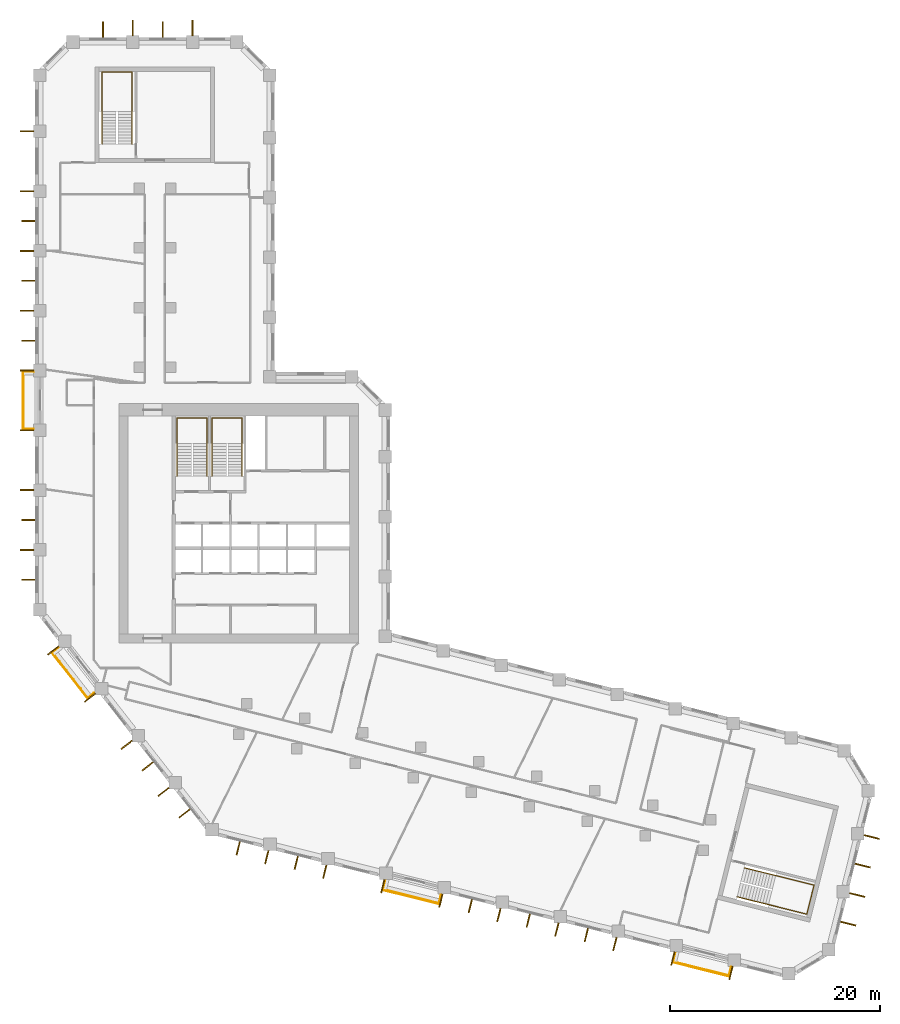
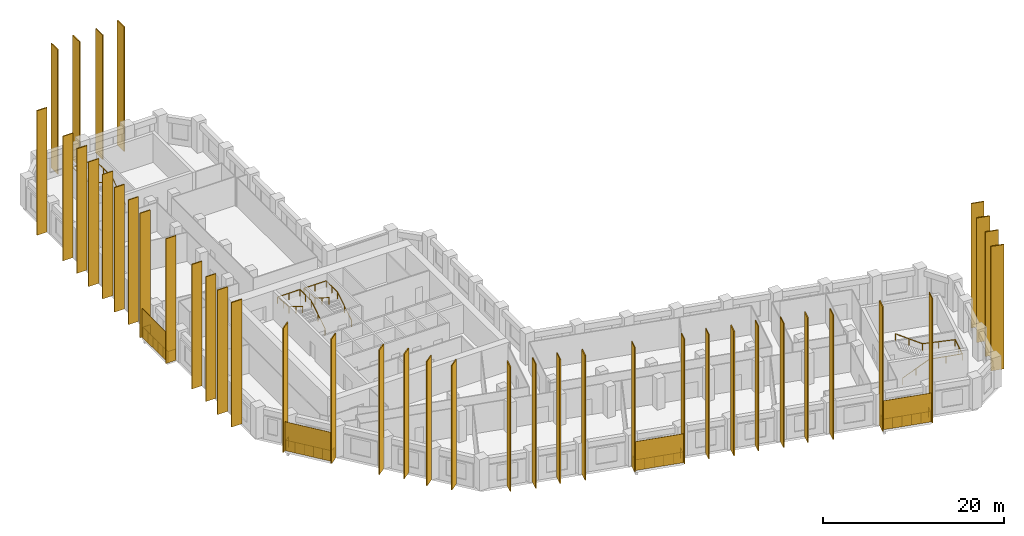
# One storey, part 10 of 10: 45 shading devices, 8 railings.
"""IFC4 building model written with IfcOpenShell, lengths in metres."""

from ifc_helpers import new_model, si_unit, direction, frame, origin, origin_2d, place, context, subcontext, project, spatial, rectangle, circle, extrude, material, layer, layer_set, type_object, element, save


model = new_model("IFC4")

# Units and contexts
model_context = context("Model", 3, precision=1e-05, world=origin(), true_north=direction((0.0, 1.0)))
body_context = subcontext(model_context, "Body", "Model", "MODEL_VIEW")
ifc_project = project(units=[si_unit("LENGTHUNIT", "METRE"), si_unit("AREAUNIT", "SQUARE_METRE"), si_unit("VOLUMEUNIT", "CUBIC_METRE"), si_unit("PLANEANGLEUNIT", "RADIAN"), si_unit("MASSUNIT", "GRAM", prefix="KILO")], contexts=[model_context])

# Site, building, storey
site_placement = place(None, origin())
site = spatial("IfcSite", under=ifc_project, at=site_placement, CompositionType="ELEMENT")
building_placement = place(site_placement, origin())
building = spatial("IfcBuilding", under=site, at=building_placement, Name="Meshkara Civic Tower", CompositionType="ELEMENT")
storey_placement = place(building_placement, frame((0.0, 0.0, 195.0)))
storey = spatial("IfcBuildingStorey", under=building, at=storey_placement, Name="L44", CompositionType="ELEMENT", Elevation=195.0)

# Railings
ifc_material_1 = material(Name="Steel S355", Category="steel")
railing_type_1 = type_object("IfcRailingType", Name="BALUSTRADE GUARD 1400", PredefinedType="BALUSTRADE", material=ifc_material_1)
railing_1_placement = place(storey_placement, frame((-0.14990234375, 39.93505859375, 0.0)))
element("IfcRailing", 1, at=railing_1_placement, inside=storey, type_object=railing_type_1, Name="Balcony guard", PredefinedType="BALUSTRADE", context=body_context, shape_type="SweptSolid", body=[
    extrude(circle(Radius=0.02392578125, at=origin_2d()), frame((0.0, 0.0, 1.3759765625), z_axis=(-1.0, 0.0, 0.0), x_axis=(0.0, -1.0, 0.0)), (0.0, 0.0, 1.0), 0.960205078125),
    extrude(circle(Radius=0.02392578125, at=origin_2d()), frame((-0.960205078125, 0.0, 1.3759765625), z_axis=(0.0, -1.0, 0.0), x_axis=(1.0, 0.0, 0.0)), (0.0, 0.0, 1.0), 5.4599609375),
    extrude(circle(Radius=0.02392578125, at=origin_2d()), frame((-0.960205078125, -5.4599609375, 1.3759765625), z_axis=(1.0, 0.0, 0.0), x_axis=(0.0, 1.0, 0.0)), (0.0, 0.0, 1.0), 0.960205078125),
    extrude(circle(Radius=0.02099609375, at=origin_2d()), origin(), (0.0, 0.0, 1.0), 1.351806640625),
    extrude(circle(Radius=0.02099609375, at=origin_2d()), frame((-0.960205078125, 0.0, 0.0)), (0.0, 0.0, 1.0), 1.351806640625),
    extrude(circle(Radius=0.02099609375, at=origin_2d()), frame((-0.960205078125, -1.092041015625, 0.0)), (0.0, 0.0, 1.0), 1.351806640625),
    extrude(circle(Radius=0.02099609375, at=origin_2d()), frame((-0.960205078125, -2.18408203125, 0.0)), (0.0, 0.0, 1.0), 1.351806640625),
    extrude(circle(Radius=0.02099609375, at=origin_2d()), frame((-0.960205078125, -3.27587890625, 0.0)), (0.0, 0.0, 1.0), 1.351806640625),
    extrude(circle(Radius=0.02099609375, at=origin_2d()), frame((-0.960205078125, -4.367919921875, 0.0)), (0.0, 0.0, 1.0), 1.351806640625),
    extrude(circle(Radius=0.02099609375, at=origin_2d()), frame((-0.960205078125, -5.4599609375, 0.0)), (0.0, 0.0, 1.0), 1.351806640625),
    extrude(circle(Radius=0.02099609375, at=origin_2d()), frame((0.0, -5.4599609375, 0.0)), (0.0, 0.0, 1.0), 1.351806640625),
])
railing_2_placement = place(storey_placement, frame((2.22412109375, 13.615966796875, 0.0)))
element("IfcRailing", 2, at=railing_2_placement, inside=storey, type_object=railing_type_1, Name="Balcony guard", PredefinedType="BALUSTRADE", context=body_context, shape_type="SweptSolid", body=[
    extrude(circle(Radius=0.02392578125, at=origin_2d()), frame((0.0, 0.0, 1.3759765625), z_axis=(-0.787792154951, -0.615941166506, 0.0), x_axis=(0.615941166506, -0.787792154951, 0.0)), (0.0, 0.0, 1.0), 0.717529296875),
    extrude(circle(Radius=0.02392578125, at=origin_2d()), frame((-0.565185546875, -0.44189453125, 1.3759765625), z_axis=(0.615573755741, -0.788079279795, 0.0), x_axis=(0.788079279795, 0.615573755741, 0.0)), (0.0, 0.0, 1.0), 5.460205078125),
    extrude(circle(Radius=0.02392578125, at=origin_2d()), frame((2.7958984375, -4.744873046875, 1.3759765625), z_axis=(0.788178999613, 0.615446069586, 0.0), x_axis=(-0.615446069586, 0.788178999613, 0.0)), (0.0, 0.0, 1.0), 0.718017578125),
    extrude(circle(Radius=0.02099609375, at=origin_2d()), origin(), (0.0, 0.0, 1.0), 1.351806640625),
    extrude(circle(Radius=0.02099609375, at=origin_2d()), frame((-0.565185546875, -0.44189453125, 0.0)), (0.0, 0.0, 1.0), 1.351806640625),
    extrude(circle(Radius=0.02099609375, at=origin_2d()), frame((0.10693359375, -1.302490234375, 0.0)), (0.0, 0.0, 1.0), 1.351806640625),
    extrude(circle(Radius=0.02099609375, at=origin_2d()), frame((0.779296875, -2.1630859375, 0.0)), (0.0, 0.0, 1.0), 1.351806640625),
    extrude(circle(Radius=0.02099609375, at=origin_2d()), frame((1.451416015625, -3.023681640625, 0.0)), (0.0, 0.0, 1.0), 1.351806640625),
    extrude(circle(Radius=0.02099609375, at=origin_2d()), frame((2.123779296875, -3.88427734375, 0.0)), (0.0, 0.0, 1.0), 1.351806640625),
    extrude(circle(Radius=0.02099609375, at=origin_2d()), frame((2.7958984375, -4.744873046875, 0.0)), (0.0, 0.0, 1.0), 1.351806640625),
    extrude(circle(Radius=0.02099609375, at=origin_2d()), frame((3.36181640625, -4.302978515625, 0.0)), (0.0, 0.0, 1.0), 1.351806640625),
])
railing_3_placement = place(storey_placement, frame((33.384033203125, -8.60888671875, 0.0)))
element("IfcRailing", 3, at=railing_3_placement, inside=storey, type_object=railing_type_1, Name="Balcony guard", PredefinedType="BALUSTRADE", context=body_context, shape_type="SweptSolid", body=[
    extrude(circle(Radius=0.02392578125, at=origin_2d()), frame((0.0, 0.0, 1.3759765625), z_axis=(-0.242673544463, -0.970108009872, 0.0), x_axis=(0.970108009872, -0.242673544463, 0.0)), (0.0, 0.0, 1.0), 0.8330078125),
    extrude(circle(Radius=0.02392578125, at=origin_2d()), frame((-0.2021484375, -0.80810546875, 1.3759765625), z_axis=(0.970292231073, -0.24193591366, 0.0), x_axis=(0.24193591366, 0.970292231073, 0.0)), (0.0, 0.0, 1.0), 5.460205078125),
    extrude(circle(Radius=0.02392578125, at=origin_2d()), frame((5.095947265625, -2.129150390625, 1.3759765625), z_axis=(0.242397690902, 0.970176973261, 0.0), x_axis=(-0.970176973261, 0.242397690902, 0.0)), (0.0, 0.0, 1.0), 0.8330078125),
    extrude(circle(Radius=0.02099609375, at=origin_2d()), origin(), (0.0, 0.0, 1.0), 1.351806640625),
    extrude(circle(Radius=0.02099609375, at=origin_2d()), frame((-0.2021484375, -0.80810546875, 0.0)), (0.0, 0.0, 1.0), 1.351806640625),
    extrude(circle(Radius=0.02099609375, at=origin_2d()), frame((0.857421875, -1.072265625, 0.0)), (0.0, 0.0, 1.0), 1.351806640625),
    extrude(circle(Radius=0.02099609375, at=origin_2d()), frame((1.9169921875, -1.33642578125, 0.0)), (0.0, 0.0, 1.0), 1.351806640625),
    extrude(circle(Radius=0.02099609375, at=origin_2d()), frame((2.976806640625, -1.600830078125, 0.0)), (0.0, 0.0, 1.0), 1.351806640625),
    extrude(circle(Radius=0.02099609375, at=origin_2d()), frame((4.036376953125, -1.864990234375, 0.0)), (0.0, 0.0, 1.0), 1.351806640625),
    extrude(circle(Radius=0.02099609375, at=origin_2d()), frame((5.095947265625, -2.129150390625, 0.0)), (0.0, 0.0, 1.0), 1.351806640625),
    extrude(circle(Radius=0.02099609375, at=origin_2d()), frame((5.2978515625, -1.321044921875, 0.0)), (0.0, 0.0, 1.0), 1.351806640625),
])
railing_4_placement = place(storey_placement, frame((61.037109375, -15.50390625, 0.0)))
element("IfcRailing", 4, at=railing_4_placement, inside=storey, type_object=railing_type_1, Name="Balcony guard", PredefinedType="BALUSTRADE", context=body_context, shape_type="SweptSolid", body=[
    extrude(circle(Radius=0.02392578125, at=origin_2d()), frame((0.0, 0.0, 1.3759765625), z_axis=(-0.241569777604, -0.970383451296, 0.0), x_axis=(0.970383451296, -0.241569777604, 0.0)), (0.0, 0.0, 1.0), 0.832763671875),
    extrude(circle(Radius=0.02392578125, at=origin_2d()), frame((-0.201171875, -0.80810546875, 1.3759765625), z_axis=(0.970323745377, -0.241809489388, 0.0), x_axis=(0.241809489388, 0.970323745377, 0.0)), (0.0, 0.0, 1.0), 5.459228515625),
    extrude(circle(Radius=0.02392578125, at=origin_2d()), frame((5.095947265625, -2.128173828125, 1.3759765625), z_axis=(0.242673711326, 0.970107968131, 0.0), x_axis=(-0.970107968131, 0.242673711326, 0.0)), (0.0, 0.0, 1.0), 0.83203125),
    extrude(circle(Radius=0.02099609375, at=origin_2d()), origin(), (0.0, 0.0, 1.0), 1.351806640625),
    extrude(circle(Radius=0.02099609375, at=origin_2d()), frame((-0.201171875, -0.80810546875, 0.0)), (0.0, 0.0, 1.0), 1.351806640625),
    extrude(circle(Radius=0.02099609375, at=origin_2d()), frame((0.858154296875, -1.072021484375, 0.0)), (0.0, 0.0, 1.0), 1.351806640625),
    extrude(circle(Radius=0.02099609375, at=origin_2d()), frame((1.917724609375, -1.336181640625, 0.0)), (0.0, 0.0, 1.0), 1.351806640625),
    extrude(circle(Radius=0.02099609375, at=origin_2d()), frame((2.97705078125, -1.60009765625, 0.0)), (0.0, 0.0, 1.0), 1.351806640625),
    extrude(circle(Radius=0.02099609375, at=origin_2d()), frame((4.03662109375, -1.8642578125, 0.0)), (0.0, 0.0, 1.0), 1.351806640625),
    extrude(circle(Radius=0.02099609375, at=origin_2d()), frame((5.095947265625, -2.128173828125, 0.0)), (0.0, 0.0, 1.0), 1.351806640625),
    extrude(circle(Radius=0.02099609375, at=origin_2d()), frame((5.2978515625, -1.321044921875, 0.0)), (0.0, 0.0, 1.0), 1.351806640625),
])

# Shading devices
ifc_material_2 = material(Name="Bronze anodised aluminium", Category="aluminium")
ifc_layer_1 = layer(ifc_material_2, 0.1201171875)
ifc_layer_set_1 = layer_set([ifc_layer_1], Name="BRONZE FIN 1300")
shading_device_type_1 = type_object("IfcShadingDeviceType", Name="BRONZE FIN 1300", PredefinedType="USERDEFINED", material=ifc_layer_set_1)
for number, where, z_axis, x_axis, name in (
    (5, (-0.800048828125, 62.85498046875, 0.0), (0.0, 0.0, 1.0), (0.0, -1.0, 0.0), "Fin"),
    (6, (-0.800048828125, 57.155029296875, 0.0), (0.0, 0.0, 1.0), (0.0, -1.0, 0.0), "Fin"),
    (7, (-0.64990234375, 54.304931640625, 0.0), (0.0, 0.0, 1.0), (0.0, -1.0, 0.0), "Fin"),
    (8, (-0.800048828125, 51.455078125, 0.0), (0.0, 0.0, 1.0), (0.0, -1.0, 0.0), "Fin"),
    (9, (-0.64990234375, 48.60498046875, 0.0), (0.0, 0.0, 1.0), (0.0, -1.0, 0.0), "Fin"),
    (10, (-0.800048828125, 45.7548828125, 0.0), (0.0, 0.0, 1.0), (0.0, -1.0, 0.0), "Fin"),
    (11, (-0.64990234375, 42.905029296875, 0.0), (0.0, 0.0, 1.0), (0.0, -1.0, 0.0), "Fin"),
    (12, (-0.800048828125, 40.054931640625, 0.0), (0.0, 0.0, 1.0), (0.0, -1.0, 0.0), "Fin"),
    (13, (-0.800048828125, 34.35498046875, 0.0), (0.0, 0.0, 1.0), (0.0, -1.0, 0.0), "Fin"),
    (14, (-0.800048828125, 28.655029296875, 0.0), (0.0, 0.0, 1.0), (0.0, -1.0, 0.0), "Fin"),
    (15, (-0.64990234375, 25.804931640625, 0.0), (0.0, 0.0, 1.0), (0.0, -1.0, 0.0), "Fin"),
    (16, (-0.800048828125, 22.955078125, 0.0), (0.0, 0.0, 1.0), (0.0, -1.0, 0.0), "Fin"),
    (17, (-0.64990234375, 20.10498046875, 0.0), (0.0, 0.0, 1.0), (0.0, -1.0, 0.0), "Fin"),
    (18, (1.701904296875, 13.360107421875, 0.0), (0.0, 0.0, 1.0), (0.615661475326, -0.788010753607, 0.0), "Fin"),
    (19, (5.2109375, 8.867919921875, 0.0), (0.0, 0.0, 1.0), (0.615661475326, -0.788010753607, 0.0), "Fin"),
    (20, (8.720947265625, 4.3759765625, 0.0), (0.0, 0.0, 1.0), (0.615661475326, -0.788010753607, 0.0), "Fin"),
    (21, (10.720947265625, 2.322021484375, 0.0), (0.0, 0.0, 1.0), (0.615661475326, -0.788010753607, 0.0), "Fin"),
    (22, (12.22998046875, -0.114990234375, 0.0), (0.0, 0.0, 1.0), (0.615661475326, -0.788010753607, 0.0), "Fin"),
    (23, (14.22998046875, -2.1689453125, 0.0), (0.0, 0.0, 1.0), (0.615661475326, -0.788010753607, 0.0), "Fin"),
    (24, (19.35009765625, -5.4951171875, 0.0), (0.0, 0.0, 1.0), (0.970299948462, -0.241904960708, 0.0), "Fin"),
    (25, (22.074951171875, -6.347900390625, 0.0), (0.0, 0.0, 1.0), (0.970299948462, -0.241904960708, 0.0), "Fin"),
    (26, (24.881103515625, -6.873046875, 0.0), (0.0, 0.0, 1.0), (0.970299948462, -0.241904960708, 0.0), "Fin"),
    (27, (27.60498046875, -7.72705078125, 0.0), (0.0, 0.0, 1.0), (0.970299948462, -0.241904960708, 0.0), "Fin"),
    (28, (33.135986328125, -9.10595703125, 0.0), (0.0, 0.0, 1.0), (0.970299948462, -0.241904960708, 0.0), "Fin"),
    (29, (38.6669921875, -10.48388671875, 0.0), (0.0, 0.0, 1.0), (0.970299948462, -0.241904960708, 0.0), "Fin"),
    (30, (41.472900390625, -11.010009765625, 0.0), (0.0, 0.0, 1.0), (0.970299948462, -0.241904960708, 0.0), "Fin"),
    (31, (44.197998046875, -11.863037109375, 0.0), (0.0, 0.0, 1.0), (0.970299948462, -0.241904960708, 0.0), "Fin"),
    (32, (47.00390625, -12.388916015625, 0.0), (0.0, 0.0, 1.0), (0.970299948462, -0.241904960708, 0.0), "Fin"),
    (33, (49.72802734375, -13.241943359375, 0.0), (0.0, 0.0, 1.0), (0.970299948462, -0.241904960708, 0.0), "Fin"),
    (34, (52.533935546875, -13.76806640625, 0.0), (0.0, 0.0, 1.0), (0.970299948462, -0.241904960708, 0.0), "Fin"),
    (35, (55.259033203125, -14.62109375, 0.0), (0.0, 0.0, 1.0), (0.970299948462, -0.241904960708, 0.0), "Fin"),
    (36, (60.7900390625, -16.0, 0.0), (0.0, 0.0, 1.0), (0.970299948462, -0.241904960708, 0.0), "Fin"),
    (37, (66.320068359375, -17.37890625, 0.0), (0.0, 0.0, 1.0), (0.970299948462, -0.241904960708, 0.0), "Fin"),
):
    element("IfcShadingDevice", number, at=place(storey_placement, frame(where, z_axis=z_axis, x_axis=x_axis)), inside=storey, type_object=shading_device_type_1, Name=name, ObjectType="FIN", PredefinedType="USERDEFINED", context=body_context, shape_type="SweptSolid", body=[
        extrude(rectangle(XDim=0.1201171875, YDim=1.300048828125, at=origin_2d()), origin(), (0.0, 0.0, 1.0), 16.800048828125),
    ])
ifc_material_3 = material(Name="Bronze anodised aluminium", Category="aluminium")
ifc_layer_2 = layer(ifc_material_3, 0.1201171875)
ifc_layer_set_2 = layer_set([ifc_layer_2], Name="BRONZE FIN 1500")
shading_device_type_2 = type_object("IfcShadingDeviceType", Name="BRONZE FIN 1500", PredefinedType="USERDEFINED", material=ifc_layer_set_2)
for number, where, z_axis, x_axis, name in (
    (38, (15.006103515625, 72.719970703125, 0.0), (0.0, 0.0, 1.0), (-1.0, 0.0, 0.0), "Fin"),
    (39, (12.156005859375, 72.570068359375, 0.0), (0.0, 0.0, 1.0), (-1.0, 0.0, 0.0), "Fin"),
    (40, (9.305908203125, 72.719970703125, 0.0), (0.0, 0.0, 1.0), (-1.0, 0.0, 0.0), "Fin"),
    (41, (6.4560546875, 72.570068359375, 0.0), (0.0, 0.0, 1.0), (-1.0, 0.0, 0.0), "Fin"),
    (42, (77.507080078125, -12.669921875, 0.0), (0.0, 0.0, 1.0), (0.2419218956, 0.970295726276, 0.0), "Fin"),
    (43, (78.360107421875, -9.945068359375, 0.0), (0.0, 0.0, 1.0), (0.2419218956, 0.970295726276, 0.0), "Fin"),
    (44, (78.885986328125, -7.138916015625, 0.0), (0.0, 0.0, 1.0), (0.2419218956, 0.970295726276, 0.0), "Fin"),
    (45, (79.739013671875, -4.4150390625, 0.0), (0.0, 0.0, 1.0), (0.2419218956, 0.970295726276, 0.0), "Fin"),
):
    element("IfcShadingDevice", number, at=place(storey_placement, frame(where, z_axis=z_axis, x_axis=x_axis)), inside=storey, type_object=shading_device_type_2, Name=name, ObjectType="FIN", PredefinedType="USERDEFINED", context=body_context, shape_type="SweptSolid", body=[
        extrude(rectangle(XDim=0.1201171875, YDim=1.5, at=origin_2d()), origin(), (0.0, 0.0, 1.0), 16.800048828125),
    ])
ifc_material_4 = material(Name="Perforated bronze anodised aluminium sheet", Category="aluminium")
ifc_layer_3 = layer(ifc_material_4, 0.0400390625)
ifc_layer_set_3 = layer_set([ifc_layer_3], Name="PERFORATED BRONZE SCREEN")
shading_device_type_3 = type_object("IfcShadingDeviceType", Name="PERFORATED BRONZE SCREEN", PredefinedType="USERDEFINED", material=ifc_layer_set_3)
for number, where, z_axis, x_axis, name in (
    (46, (-1.179931640625, 37.205078125, 0.0), (0.0, 0.0, 1.0), (0.0, -1.0, 0.0), "Balcony screen"),
    (47, (3.283935546875, 10.97998046875, 0.0), (0.0, 0.0, 1.0), (0.615661475326, -0.788010753607, 0.0), "Balcony screen"),
    (48, (35.81396484375, -10.14599609375, 0.0), (0.0, 0.0, 1.0), (0.970299948462, -0.241904960708, 0.0), "Balcony screen"),
):
    element("IfcShadingDevice", number, at=place(storey_placement, frame(where, z_axis=z_axis, x_axis=x_axis)), inside=storey, type_object=shading_device_type_3, Name=name, ObjectType="SCREEN", PredefinedType="USERDEFINED", context=body_context, shape_type="SweptSolid", body=[
        extrude(rectangle(XDim=5.580078125, YDim=0.0400390625, at=origin_2d()), origin(), (0.0, 0.0, 1.0), 3.89990234375),
    ])
shading_device_placement = place(storey_placement, frame((63.468017578125, -17.0400390625, 0.0), z_axis=(0.0, 0.0, 1.0), x_axis=(0.970299948462, -0.241904960708, 0.0)))
element("IfcShadingDevice", 49, at=shading_device_placement, inside=storey, type_object=shading_device_type_3, Name="Balcony screen", ObjectType="SCREEN", PredefinedType="USERDEFINED", context=body_context, shape_type="SweptSolid", body=[
    extrude(rectangle(XDim=5.5791015625, YDim=0.0400390625, at=origin_2d()), origin(), (0.0, 0.0, 1.0), 3.89990234375),
])

# Railings
ifc_material_5 = material(Name="Steel handrail", Category="steel")
railing_type_2 = type_object("IfcRailingType", Name="Stair handrail 900", PredefinedType="HANDRAIL", material=ifc_material_5)
railing_5_placement = place(storey_placement, frame((16.375, 30.0, 0.175048828125)))
element("IfcRailing", 50, at=railing_5_placement, inside=storey, type_object=railing_type_2, Name="L44 ST1 stair handrail 1", PredefinedType="HANDRAIL", context=body_context, shape_type="SweptSolid", body=[
    extrude(circle(Radius=0.02392578125, at=origin_2d()), frame((0.0, 0.0, 0.8759765625), z_axis=(0.0, 0.847998304005, 0.529998940003), x_axis=(-1.0, 0.0, 0.0)), (0.0, 0.0, 1.0), 3.632080078125),
    extrude(circle(Radius=0.02392578125, at=origin_2d()), frame((0.0, 3.080078125, 2.80078125), z_axis=(0.0, 1.0, 0.0), x_axis=(-1.0, 0.0, 0.0)), (0.0, 0.0, 1.0), 2.469970703125),
    extrude(circle(Radius=0.02392578125, at=origin_2d()), frame((0.0, 5.550048828125, 2.80078125), z_axis=(-1.0, 0.0, 0.0), x_axis=(0.0, -1.0, 0.0)), (0.0, 0.0, 1.0), 2.85009765625),
    extrude(circle(Radius=0.02392578125, at=origin_2d()), frame((-2.85009765625, 5.550048828125, 2.80078125), z_axis=(0.0, -0.997505032726, 0.070595394231), x_axis=(1.0, 0.0, 0.0)), (0.0, 0.0, 1.0), 2.47607421875),
    extrude(circle(Radius=0.02392578125, at=origin_2d()), frame((-2.85009765625, 3.080078125, 2.9755859375), z_axis=(0.0, -0.847998304005, 0.529998940003), x_axis=(1.0, 0.0, 0.0)), (0.0, 0.0, 1.0), 3.632080078125),
    extrude(circle(Radius=0.02099609375, at=origin_2d()), origin(), (0.0, 0.0, 1.0), 0.851806640625),
    extrude(circle(Radius=0.02099609375, at=origin_2d()), frame((0.0, 1.5400390625, 0.96240234375)), (0.0, 0.0, 1.0), 0.851806640625),
    extrude(circle(Radius=0.02099609375, at=origin_2d()), frame((0.0, 3.080078125, 1.925048828125)), (0.0, 0.0, 1.0), 0.851806640625),
    extrude(circle(Radius=0.02099609375, at=origin_2d()), frame((0.0, 4.31494140625, 1.925048828125)), (0.0, 0.0, 1.0), 0.851806640625),
    extrude(circle(Radius=0.02099609375, at=origin_2d()), frame((0.0, 5.550048828125, 1.925048828125)), (0.0, 0.0, 1.0), 0.851806640625),
    extrude(circle(Radius=0.02099609375, at=origin_2d()), frame((-1.425048828125, 5.550048828125, 1.925048828125)), (0.0, 0.0, 1.0), 0.851806640625),
    extrude(circle(Radius=0.02099609375, at=origin_2d()), frame((-2.85009765625, 5.550048828125, 1.925048828125)), (0.0, 0.0, 1.0), 0.851806640625),
    extrude(circle(Radius=0.02099609375, at=origin_2d()), frame((-2.85009765625, 4.31494140625, 2.012451171875)), (0.0, 0.0, 1.0), 0.851806640625),
    extrude(circle(Radius=0.02099609375, at=origin_2d()), frame((-2.85009765625, 3.080078125, 2.099853515625)), (0.0, 0.0, 1.0), 0.851806640625),
    extrude(circle(Radius=0.02099609375, at=origin_2d()), frame((-2.85009765625, 1.5400390625, 3.0625)), (0.0, 0.0, 1.0), 0.851806640625),
    extrude(circle(Radius=0.02099609375, at=origin_2d()), frame((-2.85009765625, 0.0, 4.02490234375)), (0.0, 0.0, 1.0), 0.851806640625),
])
railing_6_placement = place(storey_placement, frame((19.72509765625, 30.0, 0.175048828125)))
element("IfcRailing", 51, at=railing_6_placement, inside=storey, type_object=railing_type_2, Name="L44 ST2 stair handrail 1", PredefinedType="HANDRAIL", context=body_context, shape_type="SweptSolid", body=[
    extrude(circle(Radius=0.02392578125, at=origin_2d()), frame((0.0, 0.0, 0.8759765625), z_axis=(0.0, 0.847998304005, 0.529998940003), x_axis=(-1.0, 0.0, 0.0)), (0.0, 0.0, 1.0), 3.632080078125),
    extrude(circle(Radius=0.02392578125, at=origin_2d()), frame((0.0, 3.080078125, 2.80078125), z_axis=(0.0, 1.0, 0.0), x_axis=(-1.0, 0.0, 0.0)), (0.0, 0.0, 1.0), 2.469970703125),
    extrude(circle(Radius=0.02392578125, at=origin_2d()), frame((0.0, 5.550048828125, 2.80078125), z_axis=(-1.0, 0.0, 0.0), x_axis=(0.0, -1.0, 0.0)), (0.0, 0.0, 1.0), 2.85009765625),
    extrude(circle(Radius=0.02392578125, at=origin_2d()), frame((-2.85009765625, 5.550048828125, 2.80078125), z_axis=(0.0, -0.997505032726, 0.070595394231), x_axis=(1.0, 0.0, 0.0)), (0.0, 0.0, 1.0), 2.47607421875),
    extrude(circle(Radius=0.02392578125, at=origin_2d()), frame((-2.85009765625, 3.080078125, 2.9755859375), z_axis=(0.0, -0.847998304005, 0.529998940003), x_axis=(1.0, 0.0, 0.0)), (0.0, 0.0, 1.0), 3.632080078125),
    extrude(circle(Radius=0.02099609375, at=origin_2d()), origin(), (0.0, 0.0, 1.0), 0.851806640625),
    extrude(circle(Radius=0.02099609375, at=origin_2d()), frame((0.0, 1.5400390625, 0.96240234375)), (0.0, 0.0, 1.0), 0.851806640625),
    extrude(circle(Radius=0.02099609375, at=origin_2d()), frame((0.0, 3.080078125, 1.925048828125)), (0.0, 0.0, 1.0), 0.851806640625),
    extrude(circle(Radius=0.02099609375, at=origin_2d()), frame((0.0, 4.31494140625, 1.925048828125)), (0.0, 0.0, 1.0), 0.851806640625),
    extrude(circle(Radius=0.02099609375, at=origin_2d()), frame((0.0, 5.550048828125, 1.925048828125)), (0.0, 0.0, 1.0), 0.851806640625),
    extrude(circle(Radius=0.02099609375, at=origin_2d()), frame((-1.425048828125, 5.550048828125, 1.925048828125)), (0.0, 0.0, 1.0), 0.851806640625),
    extrude(circle(Radius=0.02099609375, at=origin_2d()), frame((-2.85009765625, 5.550048828125, 1.925048828125)), (0.0, 0.0, 1.0), 0.851806640625),
    extrude(circle(Radius=0.02099609375, at=origin_2d()), frame((-2.85009765625, 4.31494140625, 2.012451171875)), (0.0, 0.0, 1.0), 0.851806640625),
    extrude(circle(Radius=0.02099609375, at=origin_2d()), frame((-2.85009765625, 3.080078125, 2.099853515625)), (0.0, 0.0, 1.0), 0.851806640625),
    extrude(circle(Radius=0.02099609375, at=origin_2d()), frame((-2.85009765625, 1.5400390625, 3.0625)), (0.0, 0.0, 1.0), 0.851806640625),
    extrude(circle(Radius=0.02099609375, at=origin_2d()), frame((-2.85009765625, 0.0, 4.02490234375)), (0.0, 0.0, 1.0), 0.851806640625),
])
railing_7_placement = place(storey_placement, frame((9.22509765625, 61.669921875, 0.175048828125)))
element("IfcRailing", 52, at=railing_7_placement, inside=storey, type_object=railing_type_2, Name="L44 ESA3 stair handrail 1", PredefinedType="HANDRAIL", context=body_context, shape_type="SweptSolid", body=[
    extrude(circle(Radius=0.02392578125, at=origin_2d()), frame((0.0, 0.0, 0.8759765625), z_axis=(0.0, 0.847998304005, 0.529998940003), x_axis=(-1.0, 0.0, 0.0)), (0.0, 0.0, 1.0), 3.632080078125),
    extrude(circle(Radius=0.02392578125, at=origin_2d()), frame((0.0, 3.080078125, 2.80078125), z_axis=(0.0, 1.0, 0.0), x_axis=(-1.0, 0.0, 0.0)), (0.0, 0.0, 1.0), 3.77001953125),
    extrude(circle(Radius=0.02392578125, at=origin_2d()), frame((0.0, 6.85009765625, 2.80078125), z_axis=(-1.0, 0.0, 0.0), x_axis=(0.0, -1.0, 0.0)), (0.0, 0.0, 1.0), 2.85009765625),
    extrude(circle(Radius=0.02392578125, at=origin_2d()), frame((-2.85009765625, 6.85009765625, 2.80078125), z_axis=(0.0, -0.998926778478, 0.046317288783), x_axis=(1.0, 0.0, 0.0)), (0.0, 0.0, 1.0), 3.774169921875),
    extrude(circle(Radius=0.02392578125, at=origin_2d()), frame((-2.85009765625, 3.080078125, 2.9755859375), z_axis=(0.0, -0.847998304005, 0.529998940003), x_axis=(1.0, 0.0, 0.0)), (0.0, 0.0, 1.0), 3.632080078125),
    extrude(circle(Radius=0.02099609375, at=origin_2d()), origin(), (0.0, 0.0, 1.0), 0.851806640625),
    extrude(circle(Radius=0.02099609375, at=origin_2d()), frame((0.0, 1.5400390625, 0.96240234375)), (0.0, 0.0, 1.0), 0.851806640625),
    extrude(circle(Radius=0.02099609375, at=origin_2d()), frame((0.0, 3.080078125, 1.925048828125)), (0.0, 0.0, 1.0), 0.851806640625),
    extrude(circle(Radius=0.02099609375, at=origin_2d()), frame((0.0, 4.965087890625, 1.925048828125)), (0.0, 0.0, 1.0), 0.851806640625),
    extrude(circle(Radius=0.02099609375, at=origin_2d()), frame((0.0, 6.85009765625, 1.925048828125)), (0.0, 0.0, 1.0), 0.851806640625),
    extrude(circle(Radius=0.02099609375, at=origin_2d()), frame((-1.425048828125, 6.85009765625, 1.925048828125)), (0.0, 0.0, 1.0), 0.851806640625),
    extrude(circle(Radius=0.02099609375, at=origin_2d()), frame((-2.85009765625, 6.85009765625, 1.925048828125)), (0.0, 0.0, 1.0), 0.851806640625),
    extrude(circle(Radius=0.02099609375, at=origin_2d()), frame((-2.85009765625, 4.965087890625, 2.012451171875)), (0.0, 0.0, 1.0), 0.851806640625),
    extrude(circle(Radius=0.02099609375, at=origin_2d()), frame((-2.85009765625, 3.080078125, 2.099853515625)), (0.0, 0.0, 1.0), 0.851806640625),
    extrude(circle(Radius=0.02099609375, at=origin_2d()), frame((-2.85009765625, 1.5400390625, 3.0625)), (0.0, 0.0, 1.0), 0.851806640625),
    extrude(circle(Radius=0.02099609375, at=origin_2d()), frame((-2.85009765625, 0.0, 4.02490234375)), (0.0, 0.0, 1.0), 0.851806640625),
])
railing_8_placement = place(storey_placement, frame((66.910888671875, -10.1123046875, 0.175048828125)))
element("IfcRailing", 53, at=railing_8_placement, inside=storey, type_object=railing_type_2, Name="L44 ESB3 stair handrail 1", PredefinedType="HANDRAIL", context=body_context, shape_type="SweptSolid", body=[
    extrude(circle(Radius=0.02392578125, at=origin_2d()), frame((0.0, 0.0, 0.8759765625), z_axis=(0.822816010835, -0.205082235851, 0.530014234575), x_axis=(0.241845469214, 0.970314778317, 0.0)), (0.0, 0.0, 1.0), 3.632080078125),
    extrude(circle(Radius=0.02392578125, at=origin_2d()), frame((2.988525390625, -0.744873046875, 2.80078125), z_axis=(0.970325068916, -0.241804178279, 0.0), x_axis=(0.241804178279, 0.970325068916, 0.0)), (0.0, 0.0, 1.0), 3.77001953125),
    extrude(circle(Radius=0.02392578125, at=origin_2d()), frame((6.646728515625, -1.656494140625, 2.80078125), z_axis=(0.24183009087, 0.970318611153, 0.0), x_axis=(-0.970318611153, 0.24183009087, 0.0)), (0.0, 0.0, 1.0), 2.849853515625),
    extrude(circle(Radius=0.02392578125, at=origin_2d()), frame((7.3359375, 1.10888671875, 2.80078125), z_axis=(-0.969283728514, 0.24154467714, 0.046316547625), x_axis=(-0.241804178279, -0.970325068916, 0.0)), (0.0, 0.0, 1.0), 3.774169921875),
    extrude(circle(Radius=0.02392578125, at=origin_2d()), frame((3.677734375, 2.0205078125, 2.9755859375), z_axis=(-0.822816010835, 0.205082235851, 0.530014234575), x_axis=(-0.241845469214, -0.970314778317, 0.0)), (0.0, 0.0, 1.0), 3.632080078125),
    extrude(circle(Radius=0.02099609375, at=origin_2d()), origin(), (0.0, 0.0, 1.0), 0.851806640625),
    extrude(circle(Radius=0.02099609375, at=origin_2d()), frame((1.494140625, -0.37255859375, 0.96240234375)), (0.0, 0.0, 1.0), 0.851806640625),
    extrude(circle(Radius=0.02099609375, at=origin_2d()), frame((2.988525390625, -0.744873046875, 1.925048828125)), (0.0, 0.0, 1.0), 0.851806640625),
    extrude(circle(Radius=0.02099609375, at=origin_2d()), frame((4.817626953125, -1.20068359375, 1.925048828125)), (0.0, 0.0, 1.0), 0.851806640625),
    extrude(circle(Radius=0.02099609375, at=origin_2d()), frame((6.646728515625, -1.656494140625, 1.925048828125)), (0.0, 0.0, 1.0), 0.851806640625),
    extrude(circle(Radius=0.02099609375, at=origin_2d()), frame((6.9912109375, -0.27392578125, 1.925048828125)), (0.0, 0.0, 1.0), 0.851806640625),
    extrude(circle(Radius=0.02099609375, at=origin_2d()), frame((7.3359375, 1.10888671875, 1.925048828125)), (0.0, 0.0, 1.0), 0.851806640625),
    extrude(circle(Radius=0.02099609375, at=origin_2d()), frame((5.5068359375, 1.564697265625, 2.012451171875)), (0.0, 0.0, 1.0), 0.851806640625),
    extrude(circle(Radius=0.02099609375, at=origin_2d()), frame((3.677734375, 2.0205078125, 2.099853515625)), (0.0, 0.0, 1.0), 0.851806640625),
    extrude(circle(Radius=0.02099609375, at=origin_2d()), frame((2.18359375, 2.39306640625, 3.0625)), (0.0, 0.0, 1.0), 0.851806640625),
    extrude(circle(Radius=0.02099609375, at=origin_2d()), frame((0.689208984375, 2.765380859375, 4.02490234375)), (0.0, 0.0, 1.0), 0.851806640625),
])

save(model, "model.ifc")
